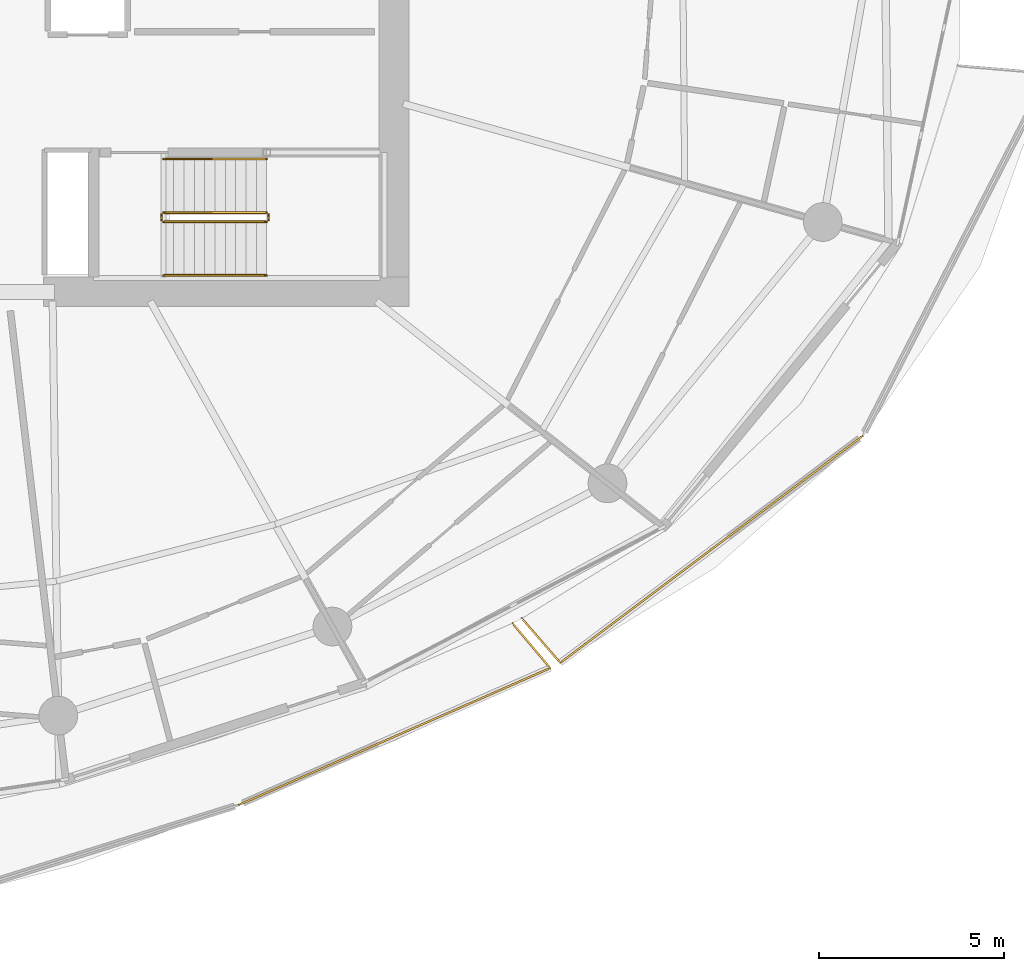
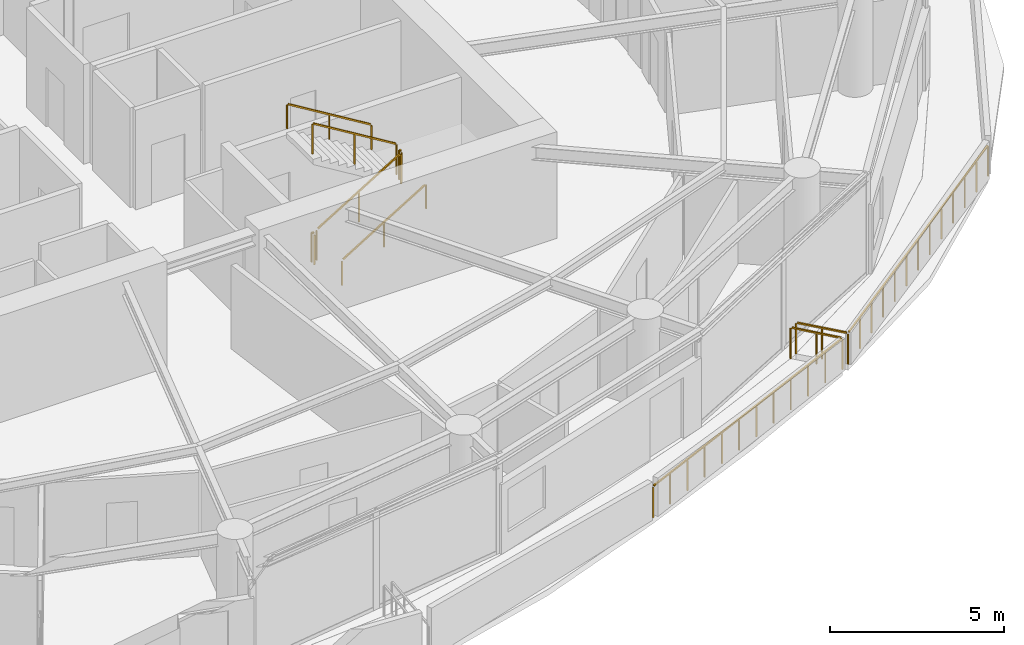
# One storey, part 18 of 20: 10 railings.
"""IFC4 building model written with IfcOpenShell, lengths in metres."""

from ifc_helpers import new_model, si_unit, direction, frame, origin, origin_2d, place, context, subcontext, project, spatial, rectangle, extrude, material, type_object, element, save


model = new_model("IFC4")

# Units and contexts
model_context = context("Model", 3, precision=1e-05, world=origin(), true_north=direction((0.0, 1.0)))
body_context = subcontext(model_context, "Body", "Model", "MODEL_VIEW")
ifc_project = project(units=[si_unit("LENGTHUNIT", "METRE"), si_unit("AREAUNIT", "SQUARE_METRE"), si_unit("VOLUMEUNIT", "CUBIC_METRE"), si_unit("PLANEANGLEUNIT", "RADIAN"), si_unit("MASSUNIT", "GRAM", prefix="KILO")], contexts=[model_context])

# Site, building, storey
site_placement = place(None, origin())
site = spatial("IfcSite", under=ifc_project, at=site_placement, CompositionType="ELEMENT")
building_placement = place(site_placement, origin())
building = spatial("IfcBuilding", under=site, at=building_placement, Name="Kazma Halo Residences", CompositionType="ELEMENT")
storey_placement = place(building_placement, frame((0.0, 0.0, 146.550048828125)))
storey = spatial("IfcBuildingStorey", under=building, at=storey_placement, Name="L36", CompositionType="ELEMENT", Elevation=146.550048828125)

# Railings
ifc_material_1 = material(Name="Aluminium AW-6063 T6 Brushed Cap Rail", Category="aluminium")
railing_type_1 = type_object("IfcRailingType", Name="RLG-BAL-CAP-1120", PredefinedType="BALUSTRADE", material=ifc_material_1)
railing_1_placement = place(storey_placement, frame((55.24609375, 19.69921875, 0.0)))
element("IfcRailing", 1, at=railing_1_placement, inside=storey, type_object=railing_type_1, Name="L36 SSE wave balcony guard 3", PredefinedType="BALUSTRADE", context=body_context, shape_type="SweptSolid", body=[
    extrude(rectangle(XDim=0.050048828125, YDim=0.050048828125, at=origin_2d()), frame((0.0390625, 0.01708984375, 1.09521484375), z_axis=(0.915413436935, 0.402514893487, 0.0), x_axis=(-0.402514893487, 0.915413436935, 0.0)), (0.0, 0.0, 1.0), 9.13134765625),
    extrude(rectangle(XDim=0.0400390625, YDim=0.0400390625, at=origin_2d()), origin(), (0.0, 0.0, 1.0), 1.05810546875),
    extrude(rectangle(XDim=0.0400390625, YDim=0.0400390625, at=origin_2d()), frame((0.76708984375, 0.337158203125, 0.0)), (0.0, 0.0, 1.0), 1.05810546875),
    extrude(rectangle(XDim=0.0400390625, YDim=0.0400390625, at=origin_2d()), frame((1.533935546875, 0.674560546875, 0.0)), (0.0, 0.0, 1.0), 1.05810546875),
    extrude(rectangle(XDim=0.0400390625, YDim=0.0400390625, at=origin_2d()), frame((2.301025390625, 1.01171875, 0.0)), (0.0, 0.0, 1.0), 1.05810546875),
    extrude(rectangle(XDim=0.0400390625, YDim=0.0400390625, at=origin_2d()), frame((3.06787109375, 1.348876953125, 0.0)), (0.0, 0.0, 1.0), 1.05810546875),
    extrude(rectangle(XDim=0.0400390625, YDim=0.0400390625, at=origin_2d()), frame((3.8349609375, 1.686279296875, 0.0)), (0.0, 0.0, 1.0), 1.05810546875),
    extrude(rectangle(XDim=0.0400390625, YDim=0.0400390625, at=origin_2d()), frame((4.601806640625, 2.0234375, 0.0)), (0.0, 0.0, 1.0), 1.05810546875),
    extrude(rectangle(XDim=0.0400390625, YDim=0.0400390625, at=origin_2d()), frame((5.368896484375, 2.36083984375, 0.0)), (0.0, 0.0, 1.0), 1.05810546875),
    extrude(rectangle(XDim=0.0400390625, YDim=0.0400390625, at=origin_2d()), frame((6.1357421875, 2.697998046875, 0.0)), (0.0, 0.0, 1.0), 1.05810546875),
    extrude(rectangle(XDim=0.0400390625, YDim=0.0400390625, at=origin_2d()), frame((6.90283203125, 3.03515625, 0.0)), (0.0, 0.0, 1.0), 1.05810546875),
    extrude(rectangle(XDim=0.0400390625, YDim=0.0400390625, at=origin_2d()), frame((7.669677734375, 3.37255859375, 0.0)), (0.0, 0.0, 1.0), 1.05810546875),
    extrude(rectangle(XDim=0.0400390625, YDim=0.0400390625, at=origin_2d()), frame((8.436767578125, 3.709716796875, 0.0)), (0.0, 0.0, 1.0), 1.05810546875),
])
railing_2_placement = place(storey_placement, frame((63.682861328125, 23.408935546875, 0.0)))
element("IfcRailing", 2, at=railing_2_placement, inside=storey, type_object=railing_type_1, Name="L36 SSE wave balcony guard 4", PredefinedType="BALUSTRADE", context=body_context, shape_type="SweptSolid", body=[
    extrude(rectangle(XDim=0.050048828125, YDim=0.050048828125, at=origin_2d()), frame((-0.02734375, 0.032470703125, 1.09521484375), z_axis=(-0.644794998224, 0.764355552256, 0.0), x_axis=(-0.764355552256, -0.644794998224, 0.0)), (0.0, 0.0, 1.0), 1.49951171875),
    extrude(rectangle(XDim=0.0400390625, YDim=0.0400390625, at=origin_2d()), origin(), (0.0, 0.0, 1.0), 1.05810546875),
    extrude(rectangle(XDim=0.0400390625, YDim=0.0400390625, at=origin_2d()), frame((-0.5107421875, 0.60546875, 0.0)), (0.0, 0.0, 1.0), 1.05810546875),
    extrude(rectangle(XDim=0.0400390625, YDim=0.0400390625, at=origin_2d()), frame((-1.021728515625, 1.211181640625, 0.0)), (0.0, 0.0, 1.0), 1.05810546875),
])
railing_3_placement = place(storey_placement, frame((62.91455078125, 24.751953125, 0.0)))
element("IfcRailing", 3, at=railing_3_placement, inside=storey, type_object=railing_type_1, Name="L36 SE wave balcony guard 1", PredefinedType="BALUSTRADE", context=body_context, shape_type="SweptSolid", body=[
    extrude(rectangle(XDim=0.050048828125, YDim=0.050048828125, at=origin_2d()), frame((0.02783203125, -0.0322265625, 1.09521484375), z_axis=(0.653999859695, -0.756494668533, 0.0), x_axis=(0.756494668533, 0.653999859695, 0.0)), (0.0, 0.0, 1.0), 1.503662109375),
    extrude(rectangle(XDim=0.0400390625, YDim=0.0400390625, at=origin_2d()), origin(), (0.0, 0.0, 1.0), 1.05810546875),
    extrude(rectangle(XDim=0.0400390625, YDim=0.0400390625, at=origin_2d()), frame((0.51953125, -0.60107421875, 0.0)), (0.0, 0.0, 1.0), 1.05810546875),
    extrude(rectangle(XDim=0.0400390625, YDim=0.0400390625, at=origin_2d()), frame((1.0390625, -1.201904296875, 0.0)), (0.0, 0.0, 1.0), 1.05810546875),
])
railing_4_placement = place(storey_placement, frame((63.95361328125, 23.550048828125, 0.0)))
element("IfcRailing", 4, at=railing_4_placement, inside=storey, type_object=railing_type_1, Name="L36 SE wave balcony guard 2", PredefinedType="BALUSTRADE", context=body_context, shape_type="SweptSolid", body=[
    extrude(rectangle(XDim=0.050048828125, YDim=0.050048828125, at=origin_2d()), frame((0.033935546875, 0.025634765625, 1.09521484375), z_axis=(0.800074352867, 0.599900850045, 0.0), x_axis=(-0.599900850045, 0.800074352867, 0.0)), (0.0, 0.0, 1.0), 10.15869140625),
    extrude(rectangle(XDim=0.0400390625, YDim=0.0400390625, at=origin_2d()), origin(), (0.0, 0.0, 1.0), 1.05810546875),
    extrude(rectangle(XDim=0.0400390625, YDim=0.0400390625, at=origin_2d()), frame((0.68310546875, 0.51220703125, 0.0)), (0.0, 0.0, 1.0), 1.05810546875),
    extrude(rectangle(XDim=0.0400390625, YDim=0.0400390625, at=origin_2d()), frame((1.365966796875, 1.024169921875, 0.0)), (0.0, 0.0, 1.0), 1.05810546875),
    extrude(rectangle(XDim=0.0400390625, YDim=0.0400390625, at=origin_2d()), frame((2.048828125, 1.536376953125, 0.0)), (0.0, 0.0, 1.0), 1.05810546875),
    extrude(rectangle(XDim=0.0400390625, YDim=0.0400390625, at=origin_2d()), frame((2.73193359375, 2.04833984375, 0.0)), (0.0, 0.0, 1.0), 1.05810546875),
    extrude(rectangle(XDim=0.0400390625, YDim=0.0400390625, at=origin_2d()), frame((3.4150390625, 2.560546875, 0.0)), (0.0, 0.0, 1.0), 1.05810546875),
    extrude(rectangle(XDim=0.0400390625, YDim=0.0400390625, at=origin_2d()), frame((4.097900390625, 3.07275390625, 0.0)), (0.0, 0.0, 1.0), 1.05810546875),
    extrude(rectangle(XDim=0.0400390625, YDim=0.0400390625, at=origin_2d()), frame((4.78076171875, 3.584716796875, 0.0)), (0.0, 0.0, 1.0), 1.05810546875),
    extrude(rectangle(XDim=0.0400390625, YDim=0.0400390625, at=origin_2d()), frame((5.4638671875, 4.096923828125, 0.0)), (0.0, 0.0, 1.0), 1.05810546875),
    extrude(rectangle(XDim=0.0400390625, YDim=0.0400390625, at=origin_2d()), frame((6.14697265625, 4.60888671875, 0.0)), (0.0, 0.0, 1.0), 1.05810546875),
    extrude(rectangle(XDim=0.0400390625, YDim=0.0400390625, at=origin_2d()), frame((6.829833984375, 5.12109375, 0.0)), (0.0, 0.0, 1.0), 1.05810546875),
    extrude(rectangle(XDim=0.0400390625, YDim=0.0400390625, at=origin_2d()), frame((7.5126953125, 5.633056640625, 0.0)), (0.0, 0.0, 1.0), 1.05810546875),
    extrude(rectangle(XDim=0.0400390625, YDim=0.0400390625, at=origin_2d()), frame((8.19580078125, 6.145263671875, 0.0)), (0.0, 0.0, 1.0), 1.05810546875),
])
ifc_material_2 = material(Name="Painted Steel S355", Category="steel")
railing_type_2 = type_object("IfcRailingType", Name="RLG-STAIR-GRD-1100", PredefinedType="GUARDRAIL", material=ifc_material_2)
railing_5_placement = place(storey_placement, frame((53.199951171875, 35.5, 0.17041015625)))
element("IfcRailing", 5, at=railing_5_placement, inside=storey, type_object=railing_type_2, Name="L36 ST-03 stair guard 1", PredefinedType="GUARDRAIL", context=body_context, shape_type="SweptSolid", body=[
    extrude(rectangle(XDim=0.050048828125, YDim=0.050048828125, at=origin_2d()), frame((0.036376953125, 0.0, 1.09716796875), z_axis=(0.854169791009, 0.0, 0.51999420009), x_axis=(0.0, 1.0, 0.0)), (0.0, 0.0, 1.0), 3.193115234375),
    extrude(rectangle(XDim=0.0400390625, YDim=0.0400390625, at=origin_2d()), origin(), (0.0, 0.0, 1.0), 1.0380859375),
    extrude(rectangle(XDim=0.0400390625, YDim=0.0400390625, at=origin_2d()), frame((1.39990234375, 0.0, 0.852294921875)), (0.0, 0.0, 1.0), 1.0380859375),
    extrude(rectangle(XDim=0.0400390625, YDim=0.0400390625, at=origin_2d()), frame((2.800048828125, 0.0, 1.70458984375)), (0.0, 0.0, 1.0), 1.0380859375),
])
railing_6_placement = place(storey_placement, frame((56.050048828125, 35.550048828125, 1.875)))
element("IfcRailing", 6, at=railing_6_placement, inside=storey, type_object=railing_type_2, Name="L36 ST-03 stair guard 2", PredefinedType="GUARDRAIL", context=body_context, shape_type="SweptSolid", body=[
    extrude(rectangle(XDim=0.050048828125, YDim=0.050048828125, at=origin_2d()), frame((0.0, 0.04248046875, 1.0751953125), z_axis=(0.0, 1.0, 0.0), x_axis=(-1.0, 0.0, 0.0)), (0.0, 0.0, 1.0), 0.06494140625),
    extrude(rectangle(XDim=0.0400390625, YDim=0.0400390625, at=origin_2d()), origin(), (0.0, 0.0, 1.0), 1.0380859375),
    extrude(rectangle(XDim=0.0400390625, YDim=0.0400390625, at=origin_2d()), frame((0.0, 0.14990234375, 0.0)), (0.0, 0.0, 1.0), 1.0380859375),
])
railing_7_placement = place(storey_placement, frame((56.0, 35.75, 2.04541015625)))
element("IfcRailing", 7, at=railing_7_placement, inside=storey, type_object=railing_type_2, Name="L36 ST-03 stair guard 3", PredefinedType="GUARDRAIL", context=body_context, shape_type="SweptSolid", body=[
    extrude(rectangle(XDim=0.050048828125, YDim=0.050048828125, at=origin_2d()), frame((-0.036376953125, 0.0, 1.09716796875), z_axis=(-0.854169791009, 0.0, 0.51999420009), x_axis=(0.0, -1.0, 0.0)), (0.0, 0.0, 1.0), 3.193115234375),
    extrude(rectangle(XDim=0.0400390625, YDim=0.0400390625, at=origin_2d()), origin(), (0.0, 0.0, 1.0), 1.0380859375),
    extrude(rectangle(XDim=0.0400390625, YDim=0.0400390625, at=origin_2d()), frame((-1.39990234375, 0.0, 0.852294921875)), (0.0, 0.0, 1.0), 1.0380859375),
    extrude(rectangle(XDim=0.0400390625, YDim=0.0400390625, at=origin_2d()), frame((-2.800048828125, 0.0, 1.70458984375)), (0.0, 0.0, 1.0), 1.0380859375),
])
railing_8_placement = place(storey_placement, frame((53.14990234375, 35.550048828125, 0.0)))
element("IfcRailing", 8, at=railing_8_placement, inside=storey, type_object=railing_type_2, Name="L36 ST-03 stair guard 4", PredefinedType="GUARDRAIL", context=body_context, shape_type="SweptSolid", body=[
    extrude(rectangle(XDim=0.050048828125, YDim=0.050048828125, at=origin_2d()), frame((0.0, 0.04248046875, 1.0751953125), z_axis=(0.0, 1.0, 0.0), x_axis=(-1.0, 0.0, 0.0)), (0.0, 0.0, 1.0), 0.06494140625),
    extrude(rectangle(XDim=0.0400390625, YDim=0.0400390625, at=origin_2d()), origin(), (0.0, 0.0, 1.0), 1.0380859375),
    extrude(rectangle(XDim=0.0400390625, YDim=0.0400390625, at=origin_2d()), frame((0.0, 0.14990234375, 0.0)), (0.0, 0.0, 1.0), 1.0380859375),
])
ifc_material_3 = material(Name="Brushed Stainless Steel", Category="steel")
railing_type_3 = type_object("IfcRailingType", Name="RLG-STAIR-HND-900", PredefinedType="HANDRAIL", material=ifc_material_3)
railing_9_placement = place(storey_placement, frame((53.199951171875, 34.050048828125, 0.17041015625)))
element("IfcRailing", 9, at=railing_9_placement, inside=storey, type_object=railing_type_3, Name="L36 ST-03 stair handrail 1", PredefinedType="HANDRAIL", context=body_context, shape_type="SweptSolid", body=[
    extrude(rectangle(XDim=0.050048828125, YDim=0.050048828125, at=origin_2d()), frame((0.036376953125, 0.0, 0.89697265625), z_axis=(0.854169791009, 0.0, 0.51999420009), x_axis=(0.0, 1.0, 0.0)), (0.0, 0.0, 1.0), 3.193115234375),
    extrude(rectangle(XDim=0.0400390625, YDim=0.0400390625, at=origin_2d()), origin(), (0.0, 0.0, 1.0), 0.837890625),
    extrude(rectangle(XDim=0.0400390625, YDim=0.0400390625, at=origin_2d()), frame((1.39990234375, 0.0, 0.852294921875)), (0.0, 0.0, 1.0), 0.837890625),
    extrude(rectangle(XDim=0.0400390625, YDim=0.0400390625, at=origin_2d()), frame((2.800048828125, 0.0, 1.70458984375)), (0.0, 0.0, 1.0), 0.837890625),
])
railing_10_placement = place(storey_placement, frame((56.0, 37.199951171875, 2.04541015625)))
element("IfcRailing", 10, at=railing_10_placement, inside=storey, type_object=railing_type_3, Name="L36 ST-03 stair handrail 2", PredefinedType="HANDRAIL", context=body_context, shape_type="SweptSolid", body=[
    extrude(rectangle(XDim=0.050048828125, YDim=0.050048828125, at=origin_2d()), frame((-0.036376953125, 0.0, 0.89697265625), z_axis=(-0.854169791009, 0.0, 0.51999420009), x_axis=(0.0, -1.0, 0.0)), (0.0, 0.0, 1.0), 3.193115234375),
    extrude(rectangle(XDim=0.0400390625, YDim=0.0400390625, at=origin_2d()), origin(), (0.0, 0.0, 1.0), 0.837890625),
    extrude(rectangle(XDim=0.0400390625, YDim=0.0400390625, at=origin_2d()), frame((-1.39990234375, 0.0, 0.852294921875)), (0.0, 0.0, 1.0), 0.837890625),
    extrude(rectangle(XDim=0.0400390625, YDim=0.0400390625, at=origin_2d()), frame((-2.800048828125, 0.0, 1.70458984375)), (0.0, 0.0, 1.0), 0.837890625),
])

save(model, "model.ifc")
